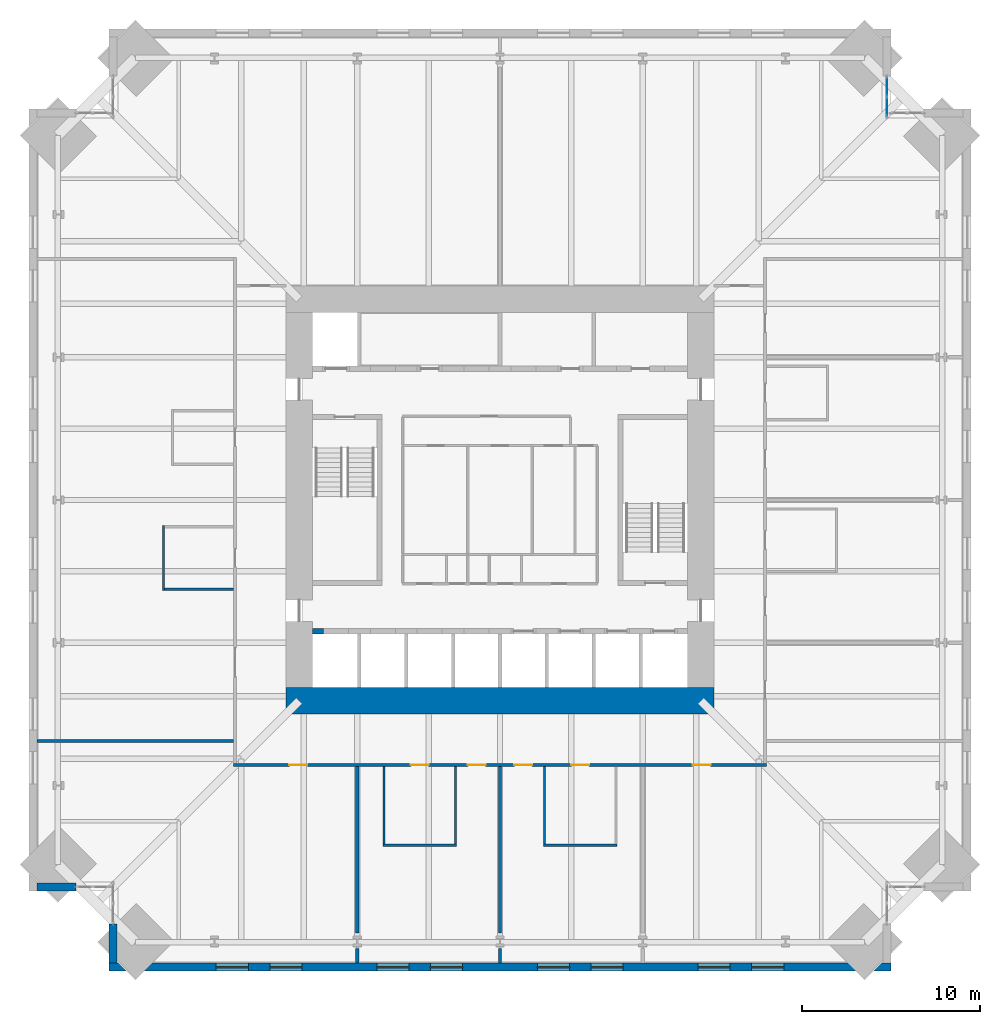
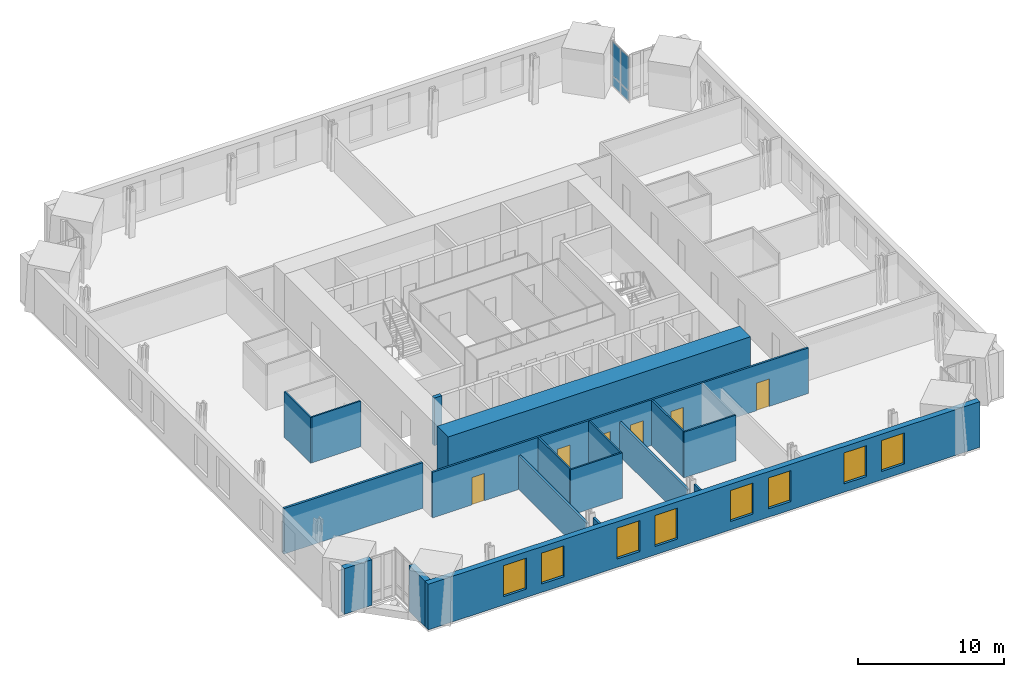
# One storey, part 13 of 18: 18 walls, 8 windows, 6 doors, 4 plates, 14 openings, 1 element without a shape of its own.
"""IFC4 building model written with IfcOpenShell, lengths in metres."""

from ifc_helpers import new_model, si_unit, direction, frame, frame_2d, origin, origin_2d, place, context, subcontext, project, spatial, rectangle, extrude, material, layer, layer_set, type_object, element, fill, aggregate, save


model = new_model("IFC4")

# Units and contexts
model_context = context("Model", 3, precision=1e-05, world=origin(), true_north=direction((0.0, 1.0)))
body_context = subcontext(model_context, "Body", "Model", "MODEL_VIEW")
ifc_project = project(units=[si_unit("LENGTHUNIT", "METRE"), si_unit("AREAUNIT", "SQUARE_METRE"), si_unit("VOLUMEUNIT", "CUBIC_METRE"), si_unit("PLANEANGLEUNIT", "RADIAN"), si_unit("MASSUNIT", "GRAM", prefix="KILO")], contexts=[model_context])

# Site, building, storey
site_placement = place(None, origin())
site = spatial("IfcSite", under=ifc_project, at=site_placement, CompositionType="ELEMENT")
building_placement = place(site_placement, origin())
building = spatial("IfcBuilding", under=site, at=building_placement, Name="Peilmerk Tower", CompositionType="ELEMENT")
storey_placement = place(building_placement, frame((0.0, 0.0, 151.800048828125)))
storey = spatial("IfcBuildingStorey", under=building, at=storey_placement, Name="L31", CompositionType="ELEMENT", Elevation=151.800048828125)

# Curtain wall, plates
ifc_material_1 = material(Name="Aluminium stick curtain wall", Category="aluminium")
curtain_wall_type = type_object("IfcCurtainWallType", Name="CW3 stick curtain wall, 2250 module", PredefinedType="NOTDEFINED", material=ifc_material_1)
curtain_wall_placement = place(storey_placement, origin())
curtain_wall = element("IfcCurtainWall", 1, at=curtain_wall_placement, inside=storey, type_object=curtain_wall_type, Name="Curtain wall CW3 NEA L31", PredefinedType="NOTDEFINED")
ifc_material_2 = material(Name="Clear insulated glazing unit", Category="glass")
ifc_layer_1 = layer(ifc_material_2, 0.028076171875)
ifc_layer_set_1 = layer_set([ifc_layer_1], Name="Clear insulated glazing unit")
plate_type = type_object("IfcPlateType", Name="CW3-P 28 glazed panel", PredefinedType="CURTAIN_PANEL", material=ifc_layer_set_1)
plate_1_placement = place(storey_placement, frame((21.675048828125, 22.038330078125, 0.06494140625), z_axis=(0.0, 0.0, 1.0), x_axis=(0.0, 1.0, 0.0)))
plate_1 = element("IfcPlate", 2, at=plate_1_placement, type_object=plate_type, Name="CW3 panel 1.1", PredefinedType="CURTAIN_PANEL", context=body_context, shape_type="SweptSolid", body=[
    extrude(rectangle(XDim=1.046875, YDim=0.028076171875, at=origin_2d()), origin(), (0.0, 0.0, 1.0), 0.802490234375),
])
plate_2_placement = place(storey_placement, frame((21.675048828125, 22.038330078125, 0.932373046875), z_axis=(0.0, 0.0, 1.0), x_axis=(0.0, 1.0, 0.0)))
plate_2 = element("IfcPlate", 3, at=plate_2_placement, type_object=plate_type, Name="CW3 panel 1.2", PredefinedType="CURTAIN_PANEL", context=body_context, shape_type="SweptSolid", body=[
    extrude(rectangle(XDim=1.046875, YDim=0.028076171875, at=origin_2d()), origin(), (0.0, 0.0, 1.0), 2.83251953125),
])
plate_3_placement = place(storey_placement, frame((21.675048828125, 23.150146484375, 0.06494140625), z_axis=(0.0, 0.0, 1.0), x_axis=(0.0, 1.0, 0.0)))
plate_3 = element("IfcPlate", 4, at=plate_3_placement, type_object=plate_type, Name="CW3 panel 2.1", PredefinedType="CURTAIN_PANEL", context=body_context, shape_type="SweptSolid", body=[
    extrude(rectangle(XDim=1.046875, YDim=0.028076171875, at=origin_2d()), origin(), (0.0, 0.0, 1.0), 0.802490234375),
])
plate_4_placement = place(storey_placement, frame((21.675048828125, 23.150146484375, 0.932373046875), z_axis=(0.0, 0.0, 1.0), x_axis=(0.0, 1.0, 0.0)))
plate_4 = element("IfcPlate", 5, at=plate_4_placement, type_object=plate_type, Name="CW3 panel 2.2", PredefinedType="CURTAIN_PANEL", context=body_context, shape_type="SweptSolid", body=[
    extrude(rectangle(XDim=1.046875, YDim=0.028076171875, at=origin_2d()), origin(), (0.0, 0.0, 1.0), 2.83251953125),
])
aggregate(curtain_wall, [plate_1, plate_2, plate_3, plate_4])

# Wall, openings, windows
ifc_material_3 = material(Name="Precast concrete C45/55, board-marked finish", Category="concrete")
ifc_layer_2 = layer(ifc_material_3, 0.449951171875)
ifc_layer_set_2 = layer_set([ifc_layer_2], Name="Precast concrete C45/55, board-marked finish")
wall_type_1 = type_object("IfcWallType", Name="EW1 450 precast concrete facade wall, board-marked", PredefinedType="SOLIDWALL", material=ifc_layer_set_2)
wall_1_placement = place(storey_placement, frame((-21.89990234375, -26.175048828125, 0.0), z_axis=(0.0, 0.0, 1.0), x_axis=(1.0, 0.0, 0.0)))
wall_1 = element("IfcWall", 6, at=wall_1_placement, inside=storey, type_object=wall_type_1, Name="Facade wall S L31", PredefinedType="SOLIDWALL", context=body_context, shape_type="SweptSolid", body=[
    extrude(rectangle(XDim=43.7998046875, YDim=0.449951171875, at=frame_2d((21.89990234375, 0.0))), origin(), (0.0, 0.0, 1.0), 3.829833984375),
])
opening_1_placement = place(wall_1_placement, frame((6.0, 0.0, 0.699951171875)))
opening_1 = element("IfcOpeningElement", 7, at=opening_1_placement, cuts=wall_1, Name="Opening W1", PredefinedType="OPENING", context=body_context, shape_type="SweptSolid", body=[
    extrude(rectangle(XDim=1.800048828125, YDim=2.60009765625, at=frame_2d((0.89990234375, 1.300048828125))), frame((0.0, 0.23486328125, 0.0), z_axis=(0.0, -1.0, 0.0), x_axis=(1.0, 0.0, 0.0)), (0.0, 0.0, 1.0), 0.469970703125),
])
opening_2_placement = place(wall_1_placement, frame((9.0, 0.0, 0.699951171875)))
opening_2 = element("IfcOpeningElement", 8, at=opening_2_placement, cuts=wall_1, Name="Opening W1", PredefinedType="OPENING", context=body_context, shape_type="SweptSolid", body=[
    extrude(rectangle(XDim=1.800048828125, YDim=2.60009765625, at=frame_2d((0.89990234375, 1.300048828125))), frame((0.0, 0.23486328125, 0.0), z_axis=(0.0, -1.0, 0.0), x_axis=(1.0, 0.0, 0.0)), (0.0, 0.0, 1.0), 0.469970703125),
])
opening_3_placement = place(wall_1_placement, frame((15.0, 0.0, 0.699951171875)))
opening_3 = element("IfcOpeningElement", 9, at=opening_3_placement, cuts=wall_1, Name="Opening W1", PredefinedType="OPENING", context=body_context, shape_type="SweptSolid", body=[
    extrude(rectangle(XDim=1.800048828125, YDim=2.60009765625, at=frame_2d((0.89990234375, 1.300048828125))), frame((0.0, 0.23486328125, 0.0), z_axis=(0.0, -1.0, 0.0), x_axis=(1.0, 0.0, 0.0)), (0.0, 0.0, 1.0), 0.469970703125),
])
opening_4_placement = place(wall_1_placement, frame((18.0, 0.0, 0.699951171875)))
opening_4 = element("IfcOpeningElement", 10, at=opening_4_placement, cuts=wall_1, Name="Opening W1", PredefinedType="OPENING", context=body_context, shape_type="SweptSolid", body=[
    extrude(rectangle(XDim=1.800048828125, YDim=2.60009765625, at=frame_2d((0.89990234375, 1.300048828125))), frame((0.0, 0.23486328125, 0.0), z_axis=(0.0, -1.0, 0.0), x_axis=(1.0, 0.0, 0.0)), (0.0, 0.0, 1.0), 0.469970703125),
])
opening_5_placement = place(wall_1_placement, frame((24.0, 0.0, 0.699951171875)))
opening_5 = element("IfcOpeningElement", 11, at=opening_5_placement, cuts=wall_1, Name="Opening W1", PredefinedType="OPENING", context=body_context, shape_type="SweptSolid", body=[
    extrude(rectangle(XDim=1.800048828125, YDim=2.60009765625, at=frame_2d((0.89990234375, 1.300048828125))), frame((0.0, 0.23486328125, 0.0), z_axis=(0.0, -1.0, 0.0), x_axis=(1.0, 0.0, 0.0)), (0.0, 0.0, 1.0), 0.469970703125),
])
opening_6_placement = place(wall_1_placement, frame((27.0, 0.0, 0.699951171875)))
opening_6 = element("IfcOpeningElement", 12, at=opening_6_placement, cuts=wall_1, Name="Opening W1", PredefinedType="OPENING", context=body_context, shape_type="SweptSolid", body=[
    extrude(rectangle(XDim=1.800048828125, YDim=2.60009765625, at=frame_2d((0.89990234375, 1.300048828125))), frame((0.0, 0.23486328125, 0.0), z_axis=(0.0, -1.0, 0.0), x_axis=(1.0, 0.0, 0.0)), (0.0, 0.0, 1.0), 0.469970703125),
])
opening_7_placement = place(wall_1_placement, frame((33.0, 0.0, 0.699951171875)))
opening_7 = element("IfcOpeningElement", 13, at=opening_7_placement, cuts=wall_1, Name="Opening W1", PredefinedType="OPENING", context=body_context, shape_type="SweptSolid", body=[
    extrude(rectangle(XDim=1.800048828125, YDim=2.60009765625, at=frame_2d((0.89990234375, 1.300048828125))), frame((0.0, 0.23486328125, 0.0), z_axis=(0.0, -1.0, 0.0), x_axis=(1.0, 0.0, 0.0)), (0.0, 0.0, 1.0), 0.469970703125),
])
opening_8_placement = place(wall_1_placement, frame((36.0, 0.0, 0.699951171875)))
opening_8 = element("IfcOpeningElement", 14, at=opening_8_placement, cuts=wall_1, Name="Opening W1", PredefinedType="OPENING", context=body_context, shape_type="SweptSolid", body=[
    extrude(rectangle(XDim=1.800048828125, YDim=2.60009765625, at=frame_2d((0.89990234375, 1.300048828125))), frame((0.0, 0.23486328125, 0.0), z_axis=(0.0, -1.0, 0.0), x_axis=(1.0, 0.0, 0.0)), (0.0, 0.0, 1.0), 0.469970703125),
])
ifc_material_4 = material(Name="Aluminium frame, clear double glazing", Category="aluminium")
window_type = type_object("IfcWindowType", Name="W1 1800x2600 office window", PartitioningType="SINGLE_PANEL", PredefinedType="WINDOW", material=ifc_material_4)
window_1_placement = place(opening_1_placement, origin())
window_1 = element("IfcWindow", 15, at=window_1_placement, inside=storey, type_object=window_type, Name="Window W1 L31", OverallHeight=2.60009765625, OverallWidth=1.800048828125, PartitioningType="SINGLE_PANEL", PredefinedType="WINDOW", context=body_context, shape_type="SweptSolid", body=[
    extrude(rectangle(XDim=1.800048828125, YDim=2.60009765625, at=frame_2d((0.89990234375, 1.300048828125))), frame((0.0, 0.030029296875, 0.0), z_axis=(0.0, -1.0, 0.0), x_axis=(1.0, 0.0, 0.0)), (0.0, 0.0, 1.0), 0.06005859375),
])
fill(opening_1, window_1)
window_2_placement = place(opening_2_placement, origin())
window_2 = element("IfcWindow", 16, at=window_2_placement, inside=storey, type_object=window_type, Name="Window W1 L31", OverallHeight=2.60009765625, OverallWidth=1.800048828125, PartitioningType="SINGLE_PANEL", PredefinedType="WINDOW", context=body_context, shape_type="SweptSolid", body=[
    extrude(rectangle(XDim=1.800048828125, YDim=2.60009765625, at=frame_2d((0.89990234375, 1.300048828125))), frame((0.0, 0.030029296875, 0.0), z_axis=(0.0, -1.0, 0.0), x_axis=(1.0, 0.0, 0.0)), (0.0, 0.0, 1.0), 0.06005859375),
])
fill(opening_2, window_2)
window_3_placement = place(opening_3_placement, origin())
window_3 = element("IfcWindow", 17, at=window_3_placement, inside=storey, type_object=window_type, Name="Window W1 L31", OverallHeight=2.60009765625, OverallWidth=1.800048828125, PartitioningType="SINGLE_PANEL", PredefinedType="WINDOW", context=body_context, shape_type="SweptSolid", body=[
    extrude(rectangle(XDim=1.800048828125, YDim=2.60009765625, at=frame_2d((0.89990234375, 1.300048828125))), frame((0.0, 0.030029296875, 0.0), z_axis=(0.0, -1.0, 0.0), x_axis=(1.0, 0.0, 0.0)), (0.0, 0.0, 1.0), 0.06005859375),
])
fill(opening_3, window_3)
window_4_placement = place(opening_4_placement, origin())
window_4 = element("IfcWindow", 18, at=window_4_placement, inside=storey, type_object=window_type, Name="Window W1 L31", OverallHeight=2.60009765625, OverallWidth=1.800048828125, PartitioningType="SINGLE_PANEL", PredefinedType="WINDOW", context=body_context, shape_type="SweptSolid", body=[
    extrude(rectangle(XDim=1.800048828125, YDim=2.60009765625, at=frame_2d((0.89990234375, 1.300048828125))), frame((0.0, 0.030029296875, 0.0), z_axis=(0.0, -1.0, 0.0), x_axis=(1.0, 0.0, 0.0)), (0.0, 0.0, 1.0), 0.06005859375),
])
fill(opening_4, window_4)
window_5_placement = place(opening_5_placement, origin())
window_5 = element("IfcWindow", 19, at=window_5_placement, inside=storey, type_object=window_type, Name="Window W1 L31", OverallHeight=2.60009765625, OverallWidth=1.800048828125, PartitioningType="SINGLE_PANEL", PredefinedType="WINDOW", context=body_context, shape_type="SweptSolid", body=[
    extrude(rectangle(XDim=1.800048828125, YDim=2.60009765625, at=frame_2d((0.89990234375, 1.300048828125))), frame((0.0, 0.030029296875, 0.0), z_axis=(0.0, -1.0, 0.0), x_axis=(1.0, 0.0, 0.0)), (0.0, 0.0, 1.0), 0.06005859375),
])
fill(opening_5, window_5)
window_6_placement = place(opening_6_placement, origin())
window_6 = element("IfcWindow", 20, at=window_6_placement, inside=storey, type_object=window_type, Name="Window W1 L31", OverallHeight=2.60009765625, OverallWidth=1.800048828125, PartitioningType="SINGLE_PANEL", PredefinedType="WINDOW", context=body_context, shape_type="SweptSolid", body=[
    extrude(rectangle(XDim=1.800048828125, YDim=2.60009765625, at=frame_2d((0.89990234375, 1.300048828125))), frame((0.0, 0.030029296875, 0.0), z_axis=(0.0, -1.0, 0.0), x_axis=(1.0, 0.0, 0.0)), (0.0, 0.0, 1.0), 0.06005859375),
])
fill(opening_6, window_6)
window_7_placement = place(opening_7_placement, origin())
window_7 = element("IfcWindow", 21, at=window_7_placement, inside=storey, type_object=window_type, Name="Window W1 L31", OverallHeight=2.60009765625, OverallWidth=1.800048828125, PartitioningType="SINGLE_PANEL", PredefinedType="WINDOW", context=body_context, shape_type="SweptSolid", body=[
    extrude(rectangle(XDim=1.800048828125, YDim=2.60009765625, at=frame_2d((0.89990234375, 1.300048828125))), frame((0.0, 0.030029296875, 0.0), z_axis=(0.0, -1.0, 0.0), x_axis=(1.0, 0.0, 0.0)), (0.0, 0.0, 1.0), 0.06005859375),
])
fill(opening_7, window_7)
window_8_placement = place(opening_8_placement, origin())
window_8 = element("IfcWindow", 22, at=window_8_placement, inside=storey, type_object=window_type, Name="Window W1 L31", OverallHeight=2.60009765625, OverallWidth=1.800048828125, PartitioningType="SINGLE_PANEL", PredefinedType="WINDOW", context=body_context, shape_type="SweptSolid", body=[
    extrude(rectangle(XDim=1.800048828125, YDim=2.60009765625, at=frame_2d((0.89990234375, 1.300048828125))), frame((0.0, 0.030029296875, 0.0), z_axis=(0.0, -1.0, 0.0), x_axis=(1.0, 0.0, 0.0)), (0.0, 0.0, 1.0), 0.06005859375),
])
fill(opening_8, window_8)

# Walls
for number, where, z_axis, x_axis, name in (
    (23, (-21.675048828125, -23.753662109375, 0.0), (0.0, 0.0, 1.0), (0.0, -1.0, 0.0), "Facade wall SWA L31"),
    (24, (-23.753662109375, -21.675048828125, 0.0), (0.0, 0.0, 1.0), (-1.0, 0.0, 0.0), "Facade wall SWB L31"),
):
    element("IfcWall", number, at=place(storey_placement, frame(where, z_axis=z_axis, x_axis=x_axis)), inside=storey, type_object=wall_type_1, Name=name, PredefinedType="SOLIDWALL", context=body_context, shape_type="SweptSolid", body=[
        extrude(rectangle(XDim=2.1962890625, YDim=0.449951171875, at=frame_2d((1.09814453125, 0.0))), origin(), (0.0, 0.0, 1.0), 3.829833984375),
    ])

# Wall, openings, doors
ifc_material_5 = material(Name="Calcium silicate block", Category="masonry")
ifc_layer_3 = layer(ifc_material_5, 0.14990234375)
ifc_layer_set_3 = layer_set([ifc_layer_3], Name="Calcium silicate block")
wall_type_2 = type_object("IfcWallType", Name="IW1 150 corridor partition, EI 60", PredefinedType="PARTITIONING", material=ifc_layer_set_3)
wall_2_placement = place(storey_placement, frame((14.925048828125, -14.85009765625, 0.0), z_axis=(0.0, 0.0, 1.0), x_axis=(-1.0, 0.0, 0.0)))
wall_2 = element("IfcWall", 25, at=wall_2_placement, inside=storey, type_object=wall_type_2, Name="Corridor wall S L31", PredefinedType="PARTITIONING", context=body_context, shape_type="SweptSolid", body=[
    extrude(rectangle(XDim=29.85009765625, YDim=0.14990234375, at=frame_2d((14.925048828125, 0.0))), origin(), (0.0, 0.0, 1.0), 3.829833984375),
])
opening_9_placement = place(wall_2_placement, frame((25.72509765625, 0.0, 0.0)))
opening_9 = element("IfcOpeningElement", 26, at=opening_9_placement, cuts=wall_2, Name="Opening D1", PredefinedType="OPENING", context=body_context, shape_type="SweptSolid", body=[
    extrude(rectangle(XDim=1.0, YDim=2.300048828125, at=frame_2d((0.5, 1.14990234375))), frame((0.0, 0.0849609375, 0.0), z_axis=(0.0, -1.0, 0.0), x_axis=(1.0, 0.0, 0.0)), (0.0, 0.0, 1.0), 0.169921875),
])
opening_10_placement = place(wall_2_placement, frame((15.72509765625, 0.0, 0.0)))
opening_10 = element("IfcOpeningElement", 27, at=opening_10_placement, cuts=wall_2, Name="Opening D1", PredefinedType="OPENING", context=body_context, shape_type="SweptSolid", body=[
    extrude(rectangle(XDim=1.0, YDim=2.300048828125, at=frame_2d((0.5, 1.14990234375))), frame((0.0, 0.0849609375, 0.0), z_axis=(0.0, -1.0, 0.0), x_axis=(1.0, 0.0, 0.0)), (0.0, 0.0, 1.0), 0.169921875),
])
opening_11_placement = place(wall_2_placement, frame((13.125, 0.0, 0.0)))
opening_11 = element("IfcOpeningElement", 28, at=opening_11_placement, cuts=wall_2, Name="Opening D1", PredefinedType="OPENING", context=body_context, shape_type="SweptSolid", body=[
    extrude(rectangle(XDim=1.0, YDim=2.300048828125, at=frame_2d((0.5, 1.14990234375))), frame((0.0, 0.0849609375, 0.0), z_axis=(0.0, -1.0, 0.0), x_axis=(1.0, 0.0, 0.0)), (0.0, 0.0, 1.0), 0.169921875),
])
opening_12_placement = place(wall_2_placement, frame((3.125, 0.0, 0.0)))
opening_12 = element("IfcOpeningElement", 29, at=opening_12_placement, cuts=wall_2, Name="Opening D1", PredefinedType="OPENING", context=body_context, shape_type="SweptSolid", body=[
    extrude(rectangle(XDim=1.0, YDim=2.300048828125, at=frame_2d((0.5, 1.14990234375))), frame((0.0, 0.0849609375, 0.0), z_axis=(0.0, -1.0, 0.0), x_axis=(1.0, 0.0, 0.0)), (0.0, 0.0, 1.0), 0.169921875),
])
opening_13_placement = place(wall_2_placement, frame((18.925048828125, 0.0, 0.0)))
opening_13 = element("IfcOpeningElement", 30, at=opening_13_placement, cuts=wall_2, Name="Opening D1", PredefinedType="OPENING", context=body_context, shape_type="SweptSolid", body=[
    extrude(rectangle(XDim=1.0, YDim=2.300048828125, at=frame_2d((0.5, 1.14990234375))), frame((0.0, 0.0849609375, 0.0), z_axis=(0.0, -1.0, 0.0), x_axis=(1.0, 0.0, 0.0)), (0.0, 0.0, 1.0), 0.169921875),
])
opening_14_placement = place(wall_2_placement, frame((9.925048828125, 0.0, 0.0)))
opening_14 = element("IfcOpeningElement", 31, at=opening_14_placement, cuts=wall_2, Name="Opening D1", PredefinedType="OPENING", context=body_context, shape_type="SweptSolid", body=[
    extrude(rectangle(XDim=1.0, YDim=2.300048828125, at=frame_2d((0.5, 1.14990234375))), frame((0.0, 0.0849609375, 0.0), z_axis=(0.0, -1.0, 0.0), x_axis=(1.0, 0.0, 0.0)), (0.0, 0.0, 1.0), 0.169921875),
])
ifc_material_6 = material(Name="Timber door in steel frame", Category="steel")
door_type = type_object("IfcDoorType", Name="D1 1000x2300 room door, EI2 30", OperationType="SINGLE_SWING_LEFT", PredefinedType="DOOR", material=ifc_material_6)
door_1_placement = place(opening_9_placement, origin())
door_1 = element("IfcDoor", 32, at=door_1_placement, inside=storey, type_object=door_type, Name="Door Office L31", OperationType="SINGLE_SWING_LEFT", OverallHeight=2.300048828125, OverallWidth=1.0, PredefinedType="DOOR", context=body_context, shape_type="SweptSolid", body=[
    extrude(rectangle(XDim=1.0, YDim=2.300048828125, at=frame_2d((0.5, 1.14990234375))), frame((0.0, 0.02490234375, 0.0), z_axis=(0.0, -1.0, 0.0), x_axis=(1.0, 0.0, 0.0)), (0.0, 0.0, 1.0), 0.050048828125),
])
fill(opening_9, door_1)
door_2_placement = place(opening_10_placement, origin())
door_2 = element("IfcDoor", 33, at=door_2_placement, inside=storey, type_object=door_type, Name="Door Office L31", OperationType="SINGLE_SWING_LEFT", OverallHeight=2.300048828125, OverallWidth=1.0, PredefinedType="DOOR", context=body_context, shape_type="SweptSolid", body=[
    extrude(rectangle(XDim=1.0, YDim=2.300048828125, at=frame_2d((0.5, 1.14990234375))), frame((0.0, 0.02490234375, 0.0), z_axis=(0.0, -1.0, 0.0), x_axis=(1.0, 0.0, 0.0)), (0.0, 0.0, 1.0), 0.050048828125),
])
fill(opening_10, door_2)
door_3_placement = place(opening_11_placement, origin())
door_3 = element("IfcDoor", 34, at=door_3_placement, inside=storey, type_object=door_type, Name="Door Project room L31", OperationType="SINGLE_SWING_LEFT", OverallHeight=2.300048828125, OverallWidth=1.0, PredefinedType="DOOR", context=body_context, shape_type="SweptSolid", body=[
    extrude(rectangle(XDim=1.0, YDim=2.300048828125, at=frame_2d((0.5, 1.14990234375))), frame((0.0, 0.02490234375, 0.0), z_axis=(0.0, -1.0, 0.0), x_axis=(1.0, 0.0, 0.0)), (0.0, 0.0, 1.0), 0.050048828125),
])
fill(opening_11, door_3)
door_4_placement = place(opening_12_placement, origin())
door_4 = element("IfcDoor", 35, at=door_4_placement, inside=storey, type_object=door_type, Name="Door Office L31", OperationType="SINGLE_SWING_LEFT", OverallHeight=2.300048828125, OverallWidth=1.0, PredefinedType="DOOR", context=body_context, shape_type="SweptSolid", body=[
    extrude(rectangle(XDim=1.0, YDim=2.300048828125, at=frame_2d((0.5, 1.14990234375))), frame((0.0, 0.02490234375, 0.0), z_axis=(0.0, -1.0, 0.0), x_axis=(1.0, 0.0, 0.0)), (0.0, 0.0, 1.0), 0.050048828125),
])
fill(opening_12, door_4)
door_5_placement = place(opening_13_placement, origin())
door_5 = element("IfcDoor", 36, at=door_5_placement, inside=storey, type_object=door_type, Name="Door Meeting room L31", OperationType="SINGLE_SWING_LEFT", OverallHeight=2.300048828125, OverallWidth=1.0, PredefinedType="DOOR", context=body_context, shape_type="SweptSolid", body=[
    extrude(rectangle(XDim=1.0, YDim=2.300048828125, at=frame_2d((0.5, 1.14990234375))), frame((0.0, 0.02490234375, 0.0), z_axis=(0.0, -1.0, 0.0), x_axis=(1.0, 0.0, 0.0)), (0.0, 0.0, 1.0), 0.050048828125),
])
fill(opening_13, door_5)
door_6_placement = place(opening_14_placement, origin())
door_6 = element("IfcDoor", 37, at=door_6_placement, inside=storey, type_object=door_type, Name="Door Meeting room L31", OperationType="SINGLE_SWING_LEFT", OverallHeight=2.300048828125, OverallWidth=1.0, PredefinedType="DOOR", context=body_context, shape_type="SweptSolid", body=[
    extrude(rectangle(XDim=1.0, YDim=2.300048828125, at=frame_2d((0.5, 1.14990234375))), frame((0.0, 0.02490234375, 0.0), z_axis=(0.0, -1.0, 0.0), x_axis=(1.0, 0.0, 0.0)), (0.0, 0.0, 1.0), 0.050048828125),
])
fill(opening_14, door_6)

# Walls
ifc_material_7 = material(Name="Plasterboard on steel studs, double boarded with mineral wool", Category="steel")
ifc_layer_4 = layer(ifc_material_7, 0.125)
ifc_layer_set_4 = layer_set([ifc_layer_4], Name="Plasterboard on steel studs, double boarded with mineral wool")
wall_type_3 = type_object("IfcWallType", Name="IW7 125 acoustic partition, EI 30", PredefinedType="PARTITIONING", material=ifc_layer_set_4)
wall_3_placement = place(storey_placement, frame((-18.85009765625, -5.0625, 0.0), z_axis=(0.0, 0.0, 1.0), x_axis=(0.0, 1.0, 0.0)))
element("IfcWall", 38, at=wall_3_placement, inside=storey, type_object=wall_type_3, Name="Acoustic partition Pantry L31", PredefinedType="PARTITIONING", context=body_context, shape_type="SweptSolid", body=[
    extrude(rectangle(XDim=3.625, YDim=0.125, at=frame_2d((1.8125, 0.0))), origin(), (0.0, 0.0, 1.0), 3.829833984375),
])
wall_4_placement = place(storey_placement, frame((-14.925048828125, -5.0, 0.0), z_axis=(0.0, 0.0, 1.0), x_axis=(-1.0, 0.0, 0.0)))
element("IfcWall", 39, at=wall_4_placement, inside=storey, type_object=wall_type_3, Name="Acoustic partition Pantry L31", PredefinedType="PARTITIONING", context=body_context, shape_type="SweptSolid", body=[
    extrude(rectangle(XDim=3.862548828125, YDim=0.125, at=frame_2d((1.93115234375, 0.0))), origin(), (0.0, 0.0, 1.0), 3.829833984375),
])
wall_5_placement = place(storey_placement, frame((-6.5625, -19.35009765625, 0.0), z_axis=(0.0, 0.0, 1.0), x_axis=(1.0, 0.0, 0.0)))
element("IfcWall", 40, at=wall_5_placement, inside=storey, type_object=wall_type_3, Name="Acoustic partition Meeting room L31", PredefinedType="PARTITIONING", context=body_context, shape_type="SweptSolid", body=[
    extrude(rectangle(XDim=4.125, YDim=0.125, at=frame_2d((2.0625, 0.0))), origin(), (0.0, 0.0, 1.0), 3.829833984375),
])
for number, where, z_axis, x_axis, name in (
    (41, (-6.5, -14.925048828125, 0.0), (0.0, 0.0, 1.0), (0.0, -1.0, 0.0), "Acoustic partition Meeting room L31"),
    (42, (-2.5, -14.925048828125, 0.0), (0.0, 0.0, 1.0), (0.0, -1.0, 0.0), "Acoustic partition Meeting room L31"),
):
    element("IfcWall", number, at=place(storey_placement, frame(where, z_axis=z_axis, x_axis=x_axis)), inside=storey, type_object=wall_type_3, Name=name, PredefinedType="PARTITIONING", context=body_context, shape_type="SweptSolid", body=[
        extrude(rectangle(XDim=4.362548828125, YDim=0.125, at=frame_2d((2.18115234375, 0.0))), origin(), (0.0, 0.0, 1.0), 3.829833984375),
    ])
wall_6_placement = place(storey_placement, frame((2.4375, -19.35009765625, 0.0), z_axis=(0.0, 0.0, 1.0), x_axis=(1.0, 0.0, 0.0)))
element("IfcWall", 43, at=wall_6_placement, inside=storey, type_object=wall_type_3, Name="Acoustic partition Meeting room L31", PredefinedType="PARTITIONING", context=body_context, shape_type="SweptSolid", body=[
    extrude(rectangle(XDim=4.125, YDim=0.125, at=frame_2d((2.0625, 0.0))), origin(), (0.0, 0.0, 1.0), 3.829833984375),
])
wall_7_placement = place(storey_placement, frame((2.5, -14.925048828125, 0.0), z_axis=(0.0, 0.0, 1.0), x_axis=(0.0, -1.0, 0.0)))
element("IfcWall", 44, at=wall_7_placement, inside=storey, type_object=wall_type_3, Name="Acoustic partition Meeting room L31", PredefinedType="PARTITIONING", context=body_context, shape_type="SweptSolid", body=[
    extrude(rectangle(XDim=4.362548828125, YDim=0.125, at=frame_2d((2.18115234375, 0.0))), origin(), (0.0, 0.0, 1.0), 3.829833984375),
])
ifc_layer_5 = layer(ifc_material_5, 0.175048828125)
ifc_layer_set_5 = layer_set([ifc_layer_5], Name="Calcium silicate block")
wall_type_4 = type_object("IfcWallType", Name="IW8 175 tenant separating wall, EI 60", PredefinedType="PARTITIONING", material=ifc_layer_set_5)
wall_8_placement = place(storey_placement, frame((-14.925048828125, -13.5, 0.0), z_axis=(0.0, 0.0, 1.0), x_axis=(-1.0, 0.0, 0.0)))
element("IfcWall", 45, at=wall_8_placement, inside=storey, type_object=wall_type_4, Name="Tenant separating wall SW L31", PredefinedType="PARTITIONING", context=body_context, shape_type="SweptSolid", body=[
    extrude(rectangle(XDim=11.02490234375, YDim=0.175048828125, at=frame_2d((5.512451171875, 0.0))), origin(), (0.0, 0.0, 1.0), 3.829833984375),
])
wall_9_placement = place(storey_placement, frame((-8.0, -14.925048828125, 0.0), z_axis=(0.0, 0.0, 1.0), x_axis=(0.0, -1.0, 0.0)))
element("IfcWall", 46, at=wall_9_placement, inside=storey, type_object=wall_type_4, Name="Tenant separating wall S1 L31", PredefinedType="PARTITIONING", context=body_context, shape_type="SweptSolid", body=[
    extrude(rectangle(XDim=9.325439453125, YDim=0.175048828125, at=frame_2d((4.66259765625, 0.0))), origin(), (0.0, 0.0, 1.0), 2.83984375),
])
wall_10_placement = place(storey_placement, frame((-8.0, -25.1396484375, 0.0), z_axis=(0.0, 0.0, 1.0), x_axis=(0.0, -1.0, 0.0)))
element("IfcWall", 47, at=wall_10_placement, inside=storey, type_object=wall_type_4, Name="Tenant separating wall S1b L31", PredefinedType="PARTITIONING", context=body_context, shape_type="SweptSolid", body=[
    extrude(rectangle(XDim=0.810302734375, YDim=0.175048828125, at=frame_2d((0.4052734375, 0.0))), origin(), (0.0, 0.0, 1.0), 3.829833984375),
])
wall_11_placement = place(storey_placement, frame((0.0, -14.925048828125, 0.0), z_axis=(0.0, 0.0, 1.0), x_axis=(0.0, -1.0, 0.0)))
element("IfcWall", 48, at=wall_11_placement, inside=storey, type_object=wall_type_4, Name="Tenant separating wall S2 L31", PredefinedType="PARTITIONING", context=body_context, shape_type="SweptSolid", body=[
    extrude(rectangle(XDim=9.325439453125, YDim=0.175048828125, at=frame_2d((4.66259765625, 0.0))), origin(), (0.0, 0.0, 1.0), 2.83984375),
])
wall_12_placement = place(storey_placement, frame((0.0, -25.1396484375, 0.0), z_axis=(0.0, 0.0, 1.0), x_axis=(0.0, -1.0, 0.0)))
element("IfcWall", 49, at=wall_12_placement, inside=storey, type_object=wall_type_4, Name="Tenant separating wall S2b L31", PredefinedType="PARTITIONING", context=body_context, shape_type="SweptSolid", body=[
    extrude(rectangle(XDim=0.810302734375, YDim=0.175048828125, at=frame_2d((0.4052734375, 0.0))), origin(), (0.0, 0.0, 1.0), 3.829833984375),
])
ifc_material_8 = material(Name="Concrete C55/67", Category="concrete")
ifc_layer_6 = layer(ifc_material_8, 1.5)
ifc_layer_set_6 = layer_set([ifc_layer_6], Name="Concrete C55/67")
wall_type_5 = type_object("IfcWallType", Name="SW1 1500 core wall", PredefinedType="SHEAR", material=ifc_layer_set_6)
wall_13_placement = place(storey_placement, frame((12.0, -11.25, 0.0), z_axis=(0.0, 0.0, 1.0), x_axis=(-1.0, 0.0, 0.0)))
element("IfcWall", 50, at=wall_13_placement, inside=storey, type_object=wall_type_5, Name="Core wall S L31", PredefinedType="SHEAR", context=body_context, shape_type="SweptSolid", body=[
    extrude(rectangle(XDim=24.0, YDim=1.5, at=frame_2d((12.0, 0.0))), origin(), (0.0, 0.0, 1.0), 4.0),
])
ifc_layer_7 = layer(ifc_material_8, 0.300048828125)
ifc_layer_set_7 = layer_set([ifc_layer_7], Name="Concrete C55/67")
wall_type_6 = type_object("IfcWallType", Name="SW2 300 lift bank pier", PredefinedType="SHEAR", material=ifc_layer_set_7)
wall_14_placement = place(storey_placement, frame((-10.5, -7.35009765625, 0.0), z_axis=(0.0, 0.0, 1.0), x_axis=(1.0, 0.0, 0.0)))
element("IfcWall", 51, at=wall_14_placement, inside=storey, type_object=wall_type_6, Name="Lift bank pier S L31", PredefinedType="SHEAR", context=body_context, shape_type="SweptSolid", body=[
    extrude(rectangle(XDim=0.612548828125, YDim=0.300048828125, at=frame_2d((0.30615234375, 0.0))), origin(), (0.0, 0.0, 1.0), 4.0),
])

save(model, "model.ifc")
